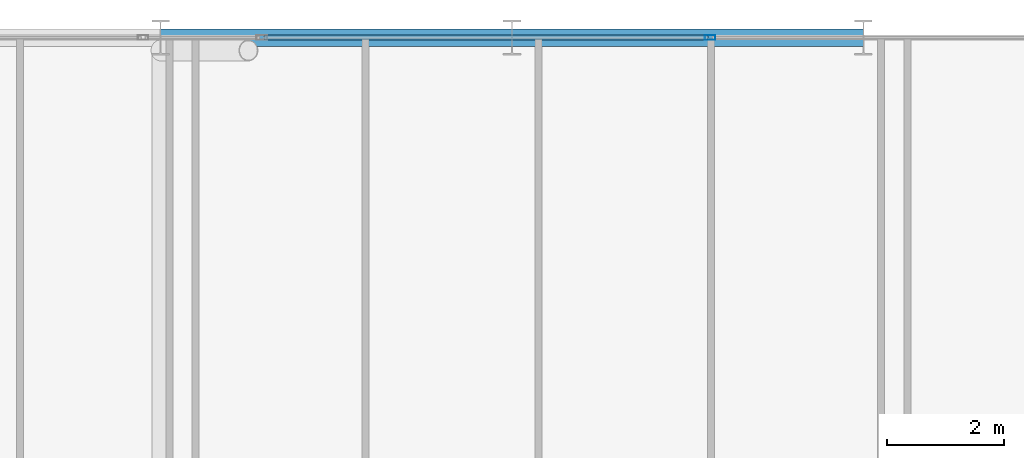
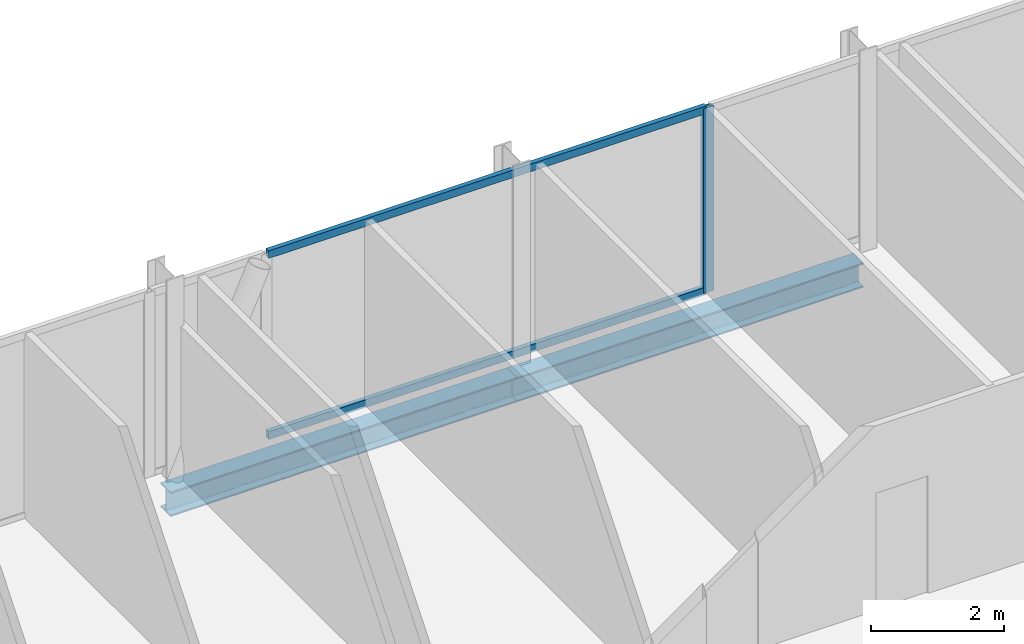
# One storey, part 19 of 29: 3 members, 2 beams, 1 element without a shape of its own.
"""IFC4 building model written with IfcOpenShell, lengths in metres."""

from ifc_helpers import new_model, si_unit, direction, frame, origin, origin_2d, place, context, subcontext, project, spatial, hollow_rectangle, i_section, extrude, material, layer, layer_set, material_profile, profile_set, type_object, element, aggregate, save


model = new_model("IFC4")

# Units and contexts
model_context = context("Model", 3, precision=1e-05, world=origin(), true_north=direction((0.0, 1.0)))
body_context = subcontext(model_context, "Body", "Model", "MODEL_VIEW")
ifc_project = project(units=[si_unit("LENGTHUNIT", "METRE"), si_unit("AREAUNIT", "SQUARE_METRE"), si_unit("VOLUMEUNIT", "CUBIC_METRE"), si_unit("PLANEANGLEUNIT", "RADIAN"), si_unit("MASSUNIT", "GRAM", prefix="KILO")], contexts=[model_context])

# Site, building, storey
site_placement = place(None, origin())
site = spatial("IfcSite", under=ifc_project, at=site_placement, CompositionType="ELEMENT")
building_placement = place(site_placement, origin())
building = spatial("IfcBuilding", under=site, at=building_placement, Name="Keshet Zoharim Tower", CompositionType="ELEMENT")
storey_placement = place(building_placement, frame((0.0, 0.0, 98.300048828125)))
storey = spatial("IfcBuildingStorey", under=building, at=storey_placement, Name="L23", CompositionType="ELEMENT", Elevation=98.300048828125)

# Beams
ifc_material_1 = material(Name="Steel S355", Category="steel")
ifc_material_profile_1 = material_profile(ifc_material_1, i_section(OverallWidth=0.300048828125, OverallDepth=0.449951171875, WebThickness=0.013916015625, FlangeThickness=0.02587890625, FilletRadius=0.027099609375, at=origin_2d()), Name="HEB450")
ifc_profile_set_1 = profile_set([ifc_material_profile_1], Name="Steel S355")
beam_type = type_object("IfcBeamType", Name="BM-WEB-HB450", PredefinedType="BEAM", material=ifc_profile_set_1)
for number, where, z_axis, x_axis, name in (
    (1, (33.0, 53.89990234375, -0.5400390625), (1.0, 0.0, 0.0), (0.0, 1.0, 0.0), "L23 Primary Girder X-021"),
    (2, (39.0, 53.89990234375, -0.5400390625), (1.0, 0.0, 0.0), (0.0, 1.0, 0.0), "L23 Primary Girder X-022"),
):
    element("IfcBeam", number, at=place(storey_placement, frame(where, z_axis=z_axis, x_axis=x_axis)), inside=storey, type_object=beam_type, Name=name, PredefinedType="BEAM", context=body_context, shape_type="SweptSolid", body=[
        extrude(i_section(OverallWidth=0.300048828125, OverallDepth=0.449951171875, WebThickness=0.013916015625, FlangeThickness=0.02587890625, FilletRadius=0.027099609375, at=origin_2d()), origin(), (0.0, 0.0, 1.0), 6.0),
    ])

# Curtain wall, members
ifc_material_2 = material(Name="Aluminium 6063-T6", Category="aluminium")
ifc_layer = layer(ifc_material_2, 0.159912109375)
ifc_layer_set = layer_set([ifc_layer], Name="Aluminium 6063-T6")
curtain_wall_type = type_object("IfcCurtainWallType", Name="CW-SYS-03", PredefinedType="NOTDEFINED", material=ifc_layer_set)
curtain_wall_placement = place(storey_placement, origin())
curtain_wall = element("IfcCurtainWall", 3, at=curtain_wall_placement, inside=storey, type_object=curtain_wall_type, Name="L23 Unitised Curtain Wall 13 Part 5", PredefinedType="NOTDEFINED")
ifc_material_profile_2 = material_profile(ifc_material_2, hollow_rectangle(XDim=0.080078125, YDim=0.179931640625, WallThickness=0.00439453125, at=origin_2d()), Name="MUL-80x180")
ifc_profile_set_2 = profile_set([ifc_material_profile_2], Name="Aluminium 6063-T6")
member_type_1 = type_object("IfcMemberType", Name="CWM-M18", PredefinedType="MULLION", material=ifc_profile_set_2)
member_1_placement = place(storey_placement, frame((42.38134765625, 53.89990234375, 0.0), z_axis=(0.0, 0.0, 1.0), x_axis=(0.0, 1.0, 0.0)))
member_1 = element("IfcMember", 4, at=member_1_placement, type_object=member_type_1, Name="CW-03 mullion 2", PredefinedType="MULLION", context=body_context, shape_type="SweptSolid", body=[
    extrude(hollow_rectangle(XDim=0.080078125, YDim=0.179931640625, WallThickness=0.00439453125, at=origin_2d()), origin(), (0.0, 0.0, 1.0), 3.385009765625),
])
ifc_material_profile_3 = material_profile(ifc_material_2, hollow_rectangle(XDim=0.080078125, YDim=0.139892578125, WallThickness=0.00390625, at=origin_2d()), Name="TRN-80x140")
ifc_profile_set_3 = profile_set([ifc_material_profile_3], Name="Aluminium 6063-T6")
member_type_2 = type_object("IfcMemberType", Name="CWT-T14", PredefinedType="USERDEFINED", material=ifc_profile_set_3)
member_2_placement = place(storey_placement, frame((34.7626953125, 53.89990234375, 0.034912109375), z_axis=(1.0, 0.0, 0.0), x_axis=(0.0, 1.0, 0.0)))
member_2 = element("IfcMember", 5, at=member_2_placement, type_object=member_type_2, Name="CW-03 transom 1.1", ObjectType="TRANSOM", PredefinedType="USERDEFINED", context=body_context, shape_type="SweptSolid", body=[
    extrude(hollow_rectangle(XDim=0.080078125, YDim=0.139892578125, WallThickness=0.00390625, at=origin_2d()), origin(), (0.0, 0.0, 1.0), 7.58349609375),
])
member_3_placement = place(storey_placement, frame((34.7626953125, 53.89990234375, 3.349853515625), z_axis=(1.0, 0.0, 0.0), x_axis=(0.0, 1.0, 0.0)))
member_3 = element("IfcMember", 6, at=member_3_placement, type_object=member_type_2, Name="CW-03 transom 1.2", ObjectType="TRANSOM", PredefinedType="USERDEFINED", context=body_context, shape_type="SweptSolid", body=[
    extrude(hollow_rectangle(XDim=0.080078125, YDim=0.139892578125, WallThickness=0.00390625, at=origin_2d()), origin(), (0.0, 0.0, 1.0), 7.58349609375),
])
aggregate(curtain_wall, [member_1, member_2, member_3])

save(model, "model.ifc")
